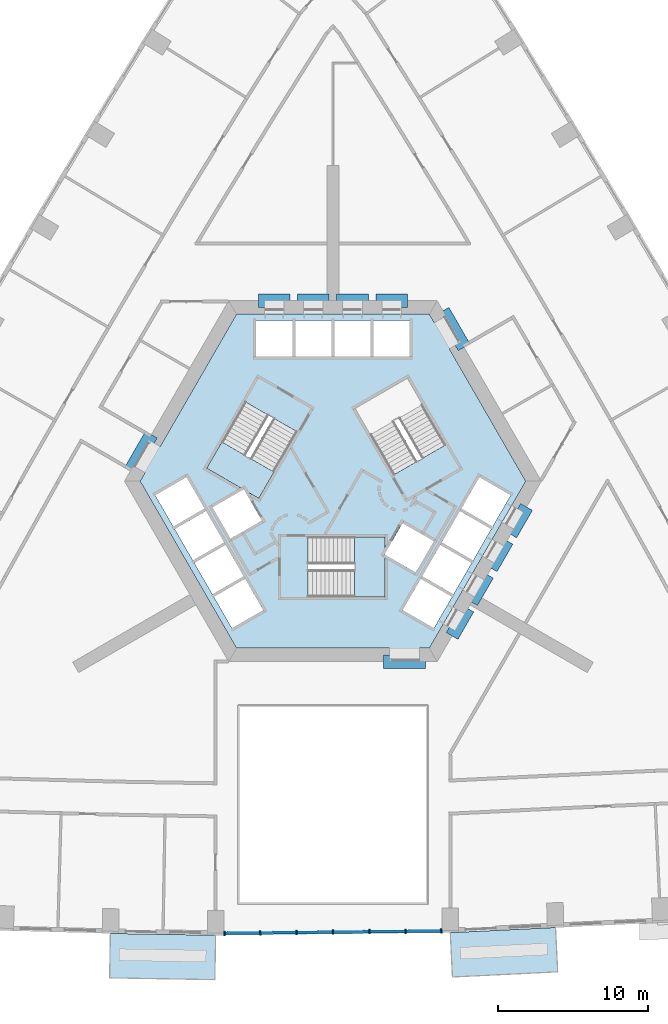
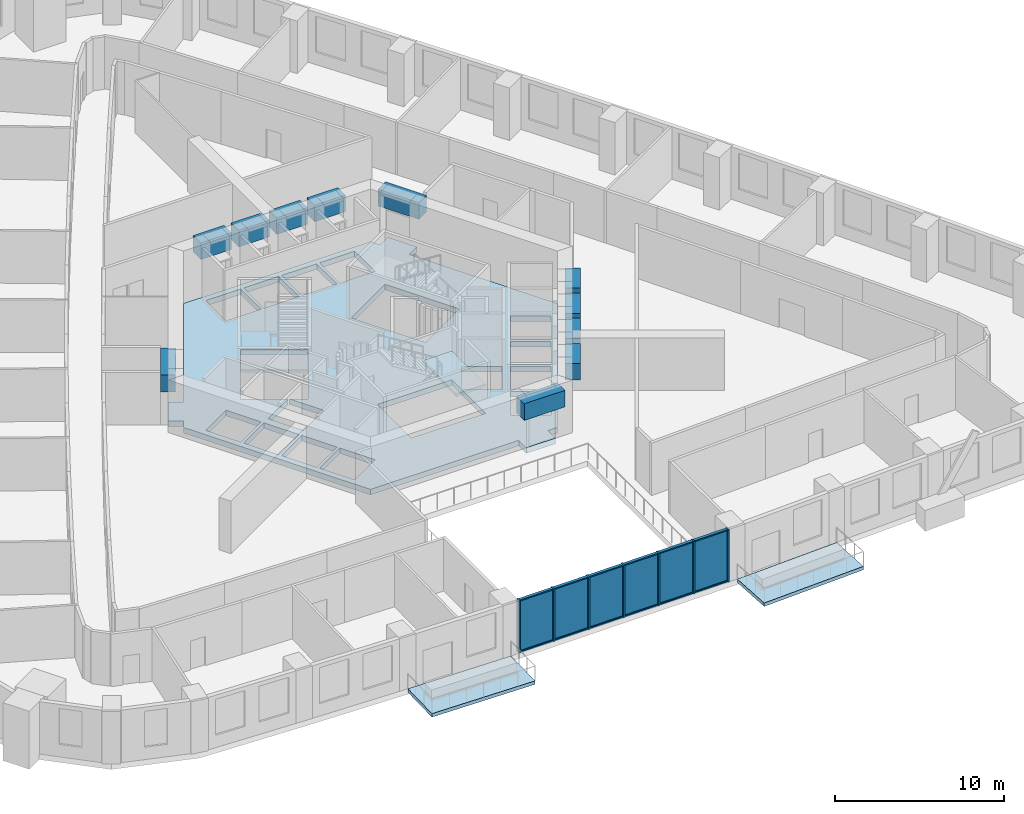
# One storey, part 2 of 14: 19 members, 11 beams, 6 plates, 5 slabs, 3 elements without a shape of their own.
"""IFC4 building model written with IfcOpenShell, lengths in metres."""

from ifc_helpers import new_model, si_unit, direction, frame, origin, origin_2d, place, context, subcontext, project, spatial, polyline, rectangle, outline, extrude, material, layer, layer_set, material_profile, profile_set, type_object, element, aggregate, save


model = new_model("IFC4")

# Units and contexts
model_context = context("Model", 3, precision=1e-05, world=origin(), true_north=direction((0.0, 1.0)))
body_context = subcontext(model_context, "Body", "Model", "MODEL_VIEW")
ifc_project = project(units=[si_unit("LENGTHUNIT", "METRE"), si_unit("AREAUNIT", "SQUARE_METRE"), si_unit("VOLUMEUNIT", "CUBIC_METRE"), si_unit("PLANEANGLEUNIT", "RADIAN"), si_unit("MASSUNIT", "GRAM", prefix="KILO")], contexts=[model_context])

# Site, building, storey
site_placement = place(None, origin())
site = spatial("IfcSite", under=ifc_project, at=site_placement, CompositionType="ELEMENT")
building_placement = place(site_placement, origin())
building = spatial("IfcBuilding", under=site, at=building_placement, Name="Entoto Arch Interchange Tower", CompositionType="ELEMENT")
storey_placement = place(building_placement, frame((0.0, 0.0, 116.0)))
storey = spatial("IfcBuildingStorey", under=building, at=storey_placement, Name="L25", CompositionType="ELEMENT", Elevation=116.0)

# Beams
ifc_material_1 = material(Name="Concrete C60/75", Category="concrete")
ifc_material_profile_1 = material_profile(ifc_material_1, rectangle(XDim=0.89990234375, YDim=1.199951171875, at=origin_2d()))
ifc_profile_set_1 = profile_set([ifc_material_profile_1], Name="Concrete C60/75")
beam_type = type_object("IfcBeamType", Name="Coupling beam RC 900x1200 C60/75", PredefinedType="BEAM", material=ifc_profile_set_1)
beam_1_placement = place(storey_placement, frame((8.717041015625, 11.402099609375, 3.0), z_axis=(-0.500200581029, 0.865909567298, 0.0), x_axis=(-0.865909567298, -0.500200581029, 0.0)))
element("IfcBeam", 1, at=beam_1_placement, inside=storey, type_object=beam_type, Name="Coupling beam NE L25", PredefinedType="BEAM", context=body_context, shape_type="SweptSolid", body=[
    extrude(rectangle(XDim=0.89990234375, YDim=1.199951171875, at=origin_2d()), origin(), (0.0, 0.0, 1.0), 2.799072265625),
])
beam_2_placement = place(storey_placement, frame((4.949951171875, 14.5, 3.0), z_axis=(-1.0, 0.0, 0.0), x_axis=(0.0, -1.0, 0.0)))
element("IfcBeam", 2, at=beam_2_placement, inside=storey, type_object=beam_type, Name="Coupling beam N L25", PredefinedType="BEAM", context=body_context, shape_type="SweptSolid", body=[
    extrude(rectangle(XDim=0.89990234375, YDim=1.199951171875, at=origin_2d()), origin(), (0.0, 0.0, 1.0), 2.099853515625),
])
for number, where, z_axis, x_axis, name in (
    (3, (2.35009765625, 14.5, 3.0), (-1.0, 0.0, 0.0), (0.0, -1.0, 0.0), "Coupling beam N L25"),
    (4, (-0.25, 14.5, 3.0), (-1.0, 0.0, 0.0), (0.0, -1.0, 0.0), "Coupling beam N L25"),
):
    element("IfcBeam", number, at=place(storey_placement, frame(where, z_axis=z_axis, x_axis=x_axis)), inside=storey, type_object=beam_type, Name=name, PredefinedType="BEAM", context=body_context, shape_type="SweptSolid", body=[
        extrude(rectangle(XDim=0.89990234375, YDim=1.199951171875, at=origin_2d()), origin(), (0.0, 0.0, 1.0), 2.10009765625),
    ])
beam_3_placement = place(storey_placement, frame((-2.85009765625, 14.5, 3.0), z_axis=(-1.0, 0.0, 0.0), x_axis=(0.0, -1.0, 0.0)))
element("IfcBeam", 5, at=beam_3_placement, inside=storey, type_object=beam_type, Name="Coupling beam N L25", PredefinedType="BEAM", context=body_context, shape_type="SweptSolid", body=[
    extrude(rectangle(XDim=0.89990234375, YDim=1.199951171875, at=origin_2d()), origin(), (0.0, 0.0, 1.0), 2.099853515625),
])
beam_4_placement = place(storey_placement, frame((-12.06689453125, 5.597900390625, 3.0), z_axis=(-0.500200581029, -0.865909567298, 0.0), x_axis=(0.865909567298, -0.500200581029, 0.0)))
element("IfcBeam", 6, at=beam_4_placement, inside=storey, type_object=beam_type, Name="Coupling beam NW L25", PredefinedType="BEAM", context=body_context, shape_type="SweptSolid", body=[
    extrude(rectangle(XDim=0.89990234375, YDim=1.199951171875, at=origin_2d()), origin(), (0.0, 0.0, 1.0), 2.799072265625),
])
beam_5_placement = place(storey_placement, frame((3.35009765625, -9.5, 3.0), z_axis=(1.0, 0.0, 0.0), x_axis=(0.0, 1.0, 0.0)))
element("IfcBeam", 7, at=beam_5_placement, inside=storey, type_object=beam_type, Name="Coupling beam S L25", PredefinedType="BEAM", context=body_context, shape_type="SweptSolid", body=[
    extrude(rectangle(XDim=0.89990234375, YDim=1.199951171875, at=origin_2d()), origin(), (0.0, 0.0, 1.0), 2.7998046875),
])
for number, where, z_axis, x_axis, name in (
    (8, (7.9169921875, -7.785888671875, 3.0), (0.500178781653, 0.865922159541, 0.0), (-0.865922159541, 0.500178781653, 0.0), "Coupling beam SE L25"),
    (9, (9.217041015625, -5.534912109375, 3.0), (0.500178781653, 0.865922159541, 0.0), (-0.865922159541, 0.500178781653, 0.0), "Coupling beam SE L25"),
):
    element("IfcBeam", number, at=place(storey_placement, frame(where, z_axis=z_axis, x_axis=x_axis)), inside=storey, type_object=beam_type, Name=name, PredefinedType="BEAM", context=body_context, shape_type="SweptSolid", body=[
        extrude(rectangle(XDim=0.89990234375, YDim=1.199951171875, at=origin_2d()), origin(), (0.0, 0.0, 1.0), 2.099365234375),
    ])
beam_6_placement = place(storey_placement, frame((10.51708984375, -3.282958984375, 3.0), z_axis=(0.500091574638, 0.865972526687, 0.0), x_axis=(-0.865972526687, 0.500091574638, 0.0)))
element("IfcBeam", 10, at=beam_6_placement, inside=storey, type_object=beam_type, Name="Coupling beam SE L25", PredefinedType="BEAM", context=body_context, shape_type="SweptSolid", body=[
    extrude(rectangle(XDim=0.89990234375, YDim=1.199951171875, at=origin_2d()), origin(), (0.0, 0.0, 1.0), 2.09912109375),
])
beam_7_placement = place(storey_placement, frame((11.81689453125, -1.031982421875, 3.0), z_axis=(0.500178781653, 0.865922159541, 0.0), x_axis=(-0.865922159541, 0.500178781653, 0.0)))
element("IfcBeam", 11, at=beam_7_placement, inside=storey, type_object=beam_type, Name="Coupling beam SE L25", PredefinedType="BEAM", context=body_context, shape_type="SweptSolid", body=[
    extrude(rectangle(XDim=0.89990234375, YDim=1.199951171875, at=origin_2d()), origin(), (0.0, 0.0, 1.0), 2.099365234375),
])

# Curtain wall, members
ifc_material_2 = material(Name="Aluminium, anodised", Category="aluminium")
curtain_wall_type = type_object("IfcCurtainWallType", Name="CURTAIN WALL ATRIUM", PredefinedType="NOTDEFINED", material=ifc_material_2)
curtain_wall_placement = place(storey_placement, origin())
curtain_wall = element("IfcCurtainWall", 12, at=curtain_wall_placement, inside=storey, type_object=curtain_wall_type, Name="Atrium glazing S-04 L25", PredefinedType="NOTDEFINED")
ifc_material_profile_2 = material_profile(ifc_material_2, rectangle(XDim=0.300048828125, YDim=0.10009765625, at=origin_2d()))
ifc_profile_set_2 = profile_set([ifc_material_profile_2], Name="Aluminium, anodised")
member_type_1 = type_object("IfcMemberType", Name="MULLION ATRIUM 100x300", PredefinedType="MULLION", material=ifc_profile_set_2)
member_1_placement = place(storey_placement, frame((-7.199951171875, -27.550537109375, 0.0), z_axis=(0.0, 0.0, 1.0), x_axis=(-0.011033811041, 0.999939125654, 0.0)))
member_1 = element("IfcMember", 13, at=member_1_placement, type_object=member_type_1, Name="CWA mullion 1", PredefinedType="MULLION", context=body_context, shape_type="SweptSolid", body=[
    extrude(rectangle(XDim=0.300048828125, YDim=0.10009765625, at=origin_2d()), origin(), (0.0, 0.0, 1.0), 3.800048828125),
])
member_2_placement = place(storey_placement, frame((-4.833251953125, -27.5244140625, 0.0), z_axis=(0.0, 0.0, 1.0), x_axis=(-0.011033811041, 0.999939125654, 0.0)))
member_2 = element("IfcMember", 14, at=member_2_placement, type_object=member_type_1, Name="CWA mullion 2", PredefinedType="MULLION", context=body_context, shape_type="SweptSolid", body=[
    extrude(rectangle(XDim=0.300048828125, YDim=0.10009765625, at=origin_2d()), origin(), (0.0, 0.0, 1.0), 3.800048828125),
])
member_3_placement = place(storey_placement, frame((-2.416748046875, -27.49755859375, 0.0), z_axis=(0.0, 0.0, 1.0), x_axis=(-0.011033811041, 0.999939125654, 0.0)))
member_3 = element("IfcMember", 15, at=member_3_placement, type_object=member_type_1, Name="CWA mullion 3", PredefinedType="MULLION", context=body_context, shape_type="SweptSolid", body=[
    extrude(rectangle(XDim=0.300048828125, YDim=0.10009765625, at=origin_2d()), origin(), (0.0, 0.0, 1.0), 3.800048828125),
])
member_4_placement = place(storey_placement, frame((0.0, -27.470947265625, 0.0), z_axis=(0.0, 0.0, 1.0), x_axis=(-0.011033811041, 0.999939125654, 0.0)))
member_4 = element("IfcMember", 16, at=member_4_placement, type_object=member_type_1, Name="CWA mullion 4", PredefinedType="MULLION", context=body_context, shape_type="SweptSolid", body=[
    extrude(rectangle(XDim=0.300048828125, YDim=0.10009765625, at=origin_2d()), origin(), (0.0, 0.0, 1.0), 3.800048828125),
])
member_5_placement = place(storey_placement, frame((2.416748046875, -27.4443359375, 0.0), z_axis=(0.0, 0.0, 1.0), x_axis=(-0.011033811041, 0.999939125654, 0.0)))
member_5 = element("IfcMember", 17, at=member_5_placement, type_object=member_type_1, Name="CWA mullion 5", PredefinedType="MULLION", context=body_context, shape_type="SweptSolid", body=[
    extrude(rectangle(XDim=0.300048828125, YDim=0.10009765625, at=origin_2d()), origin(), (0.0, 0.0, 1.0), 3.800048828125),
])
member_6_placement = place(storey_placement, frame((4.833251953125, -27.417724609375, 0.0), z_axis=(0.0, 0.0, 1.0), x_axis=(-0.011033811041, 0.999939125654, 0.0)))
member_6 = element("IfcMember", 18, at=member_6_placement, type_object=member_type_1, Name="CWA mullion 6", PredefinedType="MULLION", context=body_context, shape_type="SweptSolid", body=[
    extrude(rectangle(XDim=0.300048828125, YDim=0.10009765625, at=origin_2d()), origin(), (0.0, 0.0, 1.0), 3.800048828125),
])
member_7_placement = place(storey_placement, frame((7.199951171875, -27.3916015625, 0.0), z_axis=(0.0, 0.0, 1.0), x_axis=(-0.011033811041, 0.999939125654, 0.0)))
member_7 = element("IfcMember", 19, at=member_7_placement, type_object=member_type_1, Name="CWA mullion 7", PredefinedType="MULLION", context=body_context, shape_type="SweptSolid", body=[
    extrude(rectangle(XDim=0.300048828125, YDim=0.10009765625, at=origin_2d()), origin(), (0.0, 0.0, 1.0), 3.800048828125),
])
ifc_material_profile_3 = material_profile(ifc_material_2, rectangle(XDim=0.199951171875, YDim=0.080078125, at=origin_2d()))
ifc_profile_set_3 = profile_set([ifc_material_profile_3], Name="Aluminium, anodised")
member_type_2 = type_object("IfcMemberType", Name="TRANSOM ATRIUM 80x200", PredefinedType="USERDEFINED", material=ifc_profile_set_3)
member_8_placement = place(storey_placement, frame((-7.14990234375, -27.5498046875, 0.0400390625), z_axis=(0.999939652293, 0.010985980669, 0.0), x_axis=(-0.010985980669, 0.999939652293, 0.0)))
member_8 = element("IfcMember", 20, at=member_8_placement, type_object=member_type_2, Name="CWA transom 1.1", ObjectType="TRANSOM", PredefinedType="USERDEFINED", context=body_context, shape_type="SweptSolid", body=[
    extrude(rectangle(XDim=0.199951171875, YDim=0.080078125, at=origin_2d()), origin(), (0.0, 0.0, 1.0), 2.266845703125),
])
member_9_placement = place(storey_placement, frame((-7.14990234375, -27.5498046875, 3.760009765625), z_axis=(0.999939652293, 0.010985980669, 0.0), x_axis=(-0.010985980669, 0.999939652293, 0.0)))
member_9 = element("IfcMember", 21, at=member_9_placement, type_object=member_type_2, Name="CWA transom 1.2", ObjectType="TRANSOM", PredefinedType="USERDEFINED", context=body_context, shape_type="SweptSolid", body=[
    extrude(rectangle(XDim=0.199951171875, YDim=0.080078125, at=origin_2d()), origin(), (0.0, 0.0, 1.0), 2.266845703125),
])
member_10_placement = place(storey_placement, frame((-4.783447265625, -27.523681640625, 0.0400390625), z_axis=(0.999939956619, 0.0109582461, 0.0), x_axis=(-0.0109582461, 0.999939956619, 0.0)))
member_10 = element("IfcMember", 22, at=member_10_placement, type_object=member_type_2, Name="CWA transom 2.1", ObjectType="TRANSOM", PredefinedType="USERDEFINED", context=body_context, shape_type="SweptSolid", body=[
    extrude(rectangle(XDim=0.199951171875, YDim=0.080078125, at=origin_2d()), origin(), (0.0, 0.0, 1.0), 2.317138671875),
])
member_11_placement = place(storey_placement, frame((-4.783447265625, -27.523681640625, 3.760009765625), z_axis=(0.999939956619, 0.0109582461, 0.0), x_axis=(-0.0109582461, 0.999939956619, 0.0)))
member_11 = element("IfcMember", 23, at=member_11_placement, type_object=member_type_2, Name="CWA transom 2.2", ObjectType="TRANSOM", PredefinedType="USERDEFINED", context=body_context, shape_type="SweptSolid", body=[
    extrude(rectangle(XDim=0.199951171875, YDim=0.080078125, at=origin_2d()), origin(), (0.0, 0.0, 1.0), 2.317138671875),
])
member_12_placement = place(storey_placement, frame((-2.36669921875, -27.4970703125, 0.0400390625), z_axis=(0.999938783594, 0.011064766812, 0.0), x_axis=(-0.011064766812, 0.999938783594, 0.0)))
member_12 = element("IfcMember", 24, at=member_12_placement, type_object=member_type_2, Name="CWA transom 3.1", ObjectType="TRANSOM", PredefinedType="USERDEFINED", context=body_context, shape_type="SweptSolid", body=[
    extrude(rectangle(XDim=0.199951171875, YDim=0.080078125, at=origin_2d()), origin(), (0.0, 0.0, 1.0), 2.31689453125),
])
member_13_placement = place(storey_placement, frame((-2.36669921875, -27.4970703125, 3.760009765625), z_axis=(0.999938783594, 0.011064766812, 0.0), x_axis=(-0.011064766812, 0.999938783594, 0.0)))
member_13 = element("IfcMember", 25, at=member_13_placement, type_object=member_type_2, Name="CWA transom 3.2", ObjectType="TRANSOM", PredefinedType="USERDEFINED", context=body_context, shape_type="SweptSolid", body=[
    extrude(rectangle(XDim=0.199951171875, YDim=0.080078125, at=origin_2d()), origin(), (0.0, 0.0, 1.0), 2.31689453125),
])
member_14_placement = place(storey_placement, frame((0.050048828125, -27.470458984375, 0.0400390625), z_axis=(0.999938783594, 0.011064766812, 0.0), x_axis=(-0.011064766812, 0.999938783594, 0.0)))
member_14 = element("IfcMember", 26, at=member_14_placement, type_object=member_type_2, Name="CWA transom 4.1", ObjectType="TRANSOM", PredefinedType="USERDEFINED", context=body_context, shape_type="SweptSolid", body=[
    extrude(rectangle(XDim=0.199951171875, YDim=0.080078125, at=origin_2d()), origin(), (0.0, 0.0, 1.0), 2.31689453125),
])
member_15_placement = place(storey_placement, frame((0.050048828125, -27.470458984375, 3.760009765625), z_axis=(0.999938783594, 0.011064766812, 0.0), x_axis=(-0.011064766812, 0.999938783594, 0.0)))
member_15 = element("IfcMember", 27, at=member_15_placement, type_object=member_type_2, Name="CWA transom 4.2", ObjectType="TRANSOM", PredefinedType="USERDEFINED", context=body_context, shape_type="SweptSolid", body=[
    extrude(rectangle(XDim=0.199951171875, YDim=0.080078125, at=origin_2d()), origin(), (0.0, 0.0, 1.0), 2.31689453125),
])
member_16_placement = place(storey_placement, frame((2.466552734375, -27.44384765625, 0.0400390625), z_axis=(0.999938796493, 0.011063601015, 0.0), x_axis=(-0.011063601015, 0.999938796493, 0.0)))
member_16 = element("IfcMember", 28, at=member_16_placement, type_object=member_type_2, Name="CWA transom 5.1", ObjectType="TRANSOM", PredefinedType="USERDEFINED", context=body_context, shape_type="SweptSolid", body=[
    extrude(rectangle(XDim=0.199951171875, YDim=0.080078125, at=origin_2d()), origin(), (0.0, 0.0, 1.0), 2.317138671875),
])
member_17_placement = place(storey_placement, frame((2.466552734375, -27.44384765625, 3.760009765625), z_axis=(0.999938796493, 0.011063601015, 0.0), x_axis=(-0.011063601015, 0.999938796493, 0.0)))
member_17 = element("IfcMember", 29, at=member_17_placement, type_object=member_type_2, Name="CWA transom 5.2", ObjectType="TRANSOM", PredefinedType="USERDEFINED", context=body_context, shape_type="SweptSolid", body=[
    extrude(rectangle(XDim=0.199951171875, YDim=0.080078125, at=origin_2d()), origin(), (0.0, 0.0, 1.0), 2.317138671875),
])
member_18_placement = place(storey_placement, frame((4.88330078125, -27.417236328125, 0.0400390625), z_axis=(0.999938463314, 0.011093673171, 0.0), x_axis=(-0.011093673171, 0.999938463314, 0.0)))
member_18 = element("IfcMember", 30, at=member_18_placement, type_object=member_type_2, Name="CWA transom 6.1", ObjectType="TRANSOM", PredefinedType="USERDEFINED", context=body_context, shape_type="SweptSolid", body=[
    extrude(rectangle(XDim=0.199951171875, YDim=0.080078125, at=origin_2d()), origin(), (0.0, 0.0, 1.0), 2.266845703125),
])
member_19_placement = place(storey_placement, frame((4.88330078125, -27.417236328125, 3.760009765625), z_axis=(0.999938463314, 0.011093673171, 0.0), x_axis=(-0.011093673171, 0.999938463314, 0.0)))
member_19 = element("IfcMember", 31, at=member_19_placement, type_object=member_type_2, Name="CWA transom 6.2", ObjectType="TRANSOM", PredefinedType="USERDEFINED", context=body_context, shape_type="SweptSolid", body=[
    extrude(rectangle(XDim=0.199951171875, YDim=0.080078125, at=origin_2d()), origin(), (0.0, 0.0, 1.0), 2.266845703125),
])

# Slabs
ifc_material_3 = material(Name="Board-marked precast concrete C50/60", Category="concrete")
ifc_layer_1 = layer(ifc_material_3, 0.25)
ifc_layer_set_1 = layer_set([ifc_layer_1], Name="Board-marked precast concrete C50/60")
slab_type_1 = type_object("IfcSlabType", Name="BALCONY DECK PRECAST 250", PredefinedType="FLOOR", material=ifc_layer_set_1)
slab_1_placement = place(storey_placement, frame((0.0, 0.0, -0.25)))
element("IfcSlab", 32, at=slab_1_placement, inside=storey, type_object=slab_type_1, Name="Planted balcony S-03 L25", PredefinedType="FLOOR", context=body_context, shape_type="SweptSolid", body=[
    extrude(outline(polyline([(-14.794921875, -27.56201171875), (-7.800048828125, -27.681884765625), (-7.85107421875, -30.632080078125), (-14.845947265625, -30.511962890625), (-14.794921875, -27.56201171875)])), origin(), (0.0, 0.0, 1.0), 0.25),
])
slab_2_placement = place(storey_placement, frame((0.0, 0.0, -0.25)))
element("IfcSlab", 33, at=slab_2_placement, inside=storey, type_object=slab_type_1, Name="Planted balcony S-05 L25", PredefinedType="FLOOR", context=body_context, shape_type="SweptSolid", body=[
    extrude(outline(polyline([(7.800048828125, -27.510009765625), (14.794921875, -27.1669921875), (14.93896484375, -30.113037109375), (7.944091796875, -30.4560546875), (7.800048828125, -27.510009765625)])), origin(), (0.0, 0.0, 1.0), 0.25),
])
ifc_material_4 = material(Name="Concrete C40/50", Category="concrete")
ifc_layer_2 = layer(ifc_material_4, 0.39990234375)
ifc_layer_set_2 = layer_set([ifc_layer_2], Name="Concrete C40/50")
slab_type_2 = type_object("IfcSlabType", Name="Core floor slab 400 C40/50", PredefinedType="FLOOR", material=ifc_layer_set_2)
slab_3_placement = place(storey_placement, frame((0.0, 0.0, -0.39990234375)))
element("IfcSlab", 34, at=slab_3_placement, inside=storey, type_object=slab_type_2, Name="Core floor slab L25", PredefinedType="FLOOR", context=body_context, shape_type="SweptSolid", body=[
    extrude(outline(polyline([(5.75, -9.5), (3.75, -9.5), (3.75, -8.60009765625), (-6.408935546875, -8.60009765625), (-12.81689453125, 2.5), (-12.488037109375, 3.070068359375), (-13.26708984375, 3.52001953125), (-12.26708984375, 5.251953125), (-11.488037109375, 4.802001953125), (-6.408935546875, 13.60009765625), (6.408935546875, 13.60009765625), (6.738037109375, 13.030029296875), (7.51708984375, 13.47998046875), (8.51708984375, 11.748046875), (7.738037109375, 11.298095703125), (12.81689453125, 2.5), (6.408935546875, -8.60009765625), (5.75, -8.60009765625), (5.75, -9.5)]), holes=[polyline([(-4.637939453125, -6.06689453125), (-5.837890625, -3.988037109375), (-7.916015625, -5.18798828125), (-6.716064453125, -7.26708984375), (-4.637939453125, -6.06689453125)]), polyline([(-5.93798828125, -3.81494140625), (-7.137939453125, -1.737060546875), (-9.216064453125, -2.93701171875), (-8.01611328125, -5.014892578125), (-5.93798828125, -3.81494140625)]), polyline([(5.5048828125, -3.56494140625), (6.705078125, -1.487060546875), (4.626953125, -0.287109375), (3.449951171875, -2.324951171875), (3.449951171875, -1.199951171875), (-1.64990234375, -1.199951171875), (-1.64990234375, -5.199951171875), (3.449951171875, -5.199951171875), (3.449951171875, -2.3779296875), (5.5048828125, -3.56494140625)]), polyline([(-7.238037109375, -1.56298828125), (-8.43798828125, 0.514892578125), (-10.51611328125, -0.68505859375), (-9.31591796875, -2.762939453125), (-7.238037109375, -1.56298828125)]), polyline([(-4.72705078125, -0.113037109375), (-5.904052734375, 1.925048828125), (-4.928955078125, 1.362060546875), (-2.37890625, 5.779052734375), (-5.843017578125, 7.779052734375), (-8.39306640625, 3.362060546875), (-5.949951171875, 1.951904296875), (-8.0048828125, 0.764892578125), (-6.804931640625, -1.31298828125), (-4.72705078125, -0.113037109375)]), polyline([(-8.5380859375, 0.68798828125), (-9.738037109375, 2.76708984375), (-11.81591796875, 1.56689453125), (-10.615966796875, -0.511962890625), (-8.5380859375, 0.68798828125)]), polyline([(-5.10009765625, 10.800048828125), (-2.699951171875, 10.800048828125), (-2.699951171875, 13.199951171875), (-5.10009765625, 13.199951171875), (-5.10009765625, 10.800048828125)]), polyline([(-2.5, 10.800048828125), (-0.10009765625, 10.800048828125), (-0.10009765625, 13.199951171875), (-2.5, 13.199951171875), (-2.5, 10.800048828125)]), polyline([(5.837890625, -3.988037109375), (4.637939453125, -6.06689453125), (6.716064453125, -7.26708984375), (7.916015625, -5.18798828125), (5.837890625, -3.988037109375)]), polyline([(7.137939453125, -1.737060546875), (5.93798828125, -3.81494140625), (8.01611328125, -5.014892578125), (9.216064453125, -2.93701171875), (7.137939453125, -1.737060546875)]), polyline([(8.43798828125, 0.514892578125), (7.238037109375, -1.56298828125), (9.31591796875, -2.762939453125), (10.51611328125, -0.68505859375), (8.43798828125, 0.514892578125)]), polyline([(9.738037109375, 2.76708984375), (8.5380859375, 0.68798828125), (10.615966796875, -0.511962890625), (11.81591796875, 1.56689453125), (9.738037109375, 2.76708984375)]), polyline([(4.029052734375, 2.9208984375), (7.492919921875, 4.9208984375), (4.943115234375, 9.337890625), (1.47900390625, 7.337890625), (4.029052734375, 2.9208984375)]), polyline([(0.10009765625, 13.199951171875), (0.10009765625, 10.800048828125), (2.5, 10.800048828125), (2.5, 13.199951171875), (0.10009765625, 13.199951171875)]), polyline([(2.699951171875, 13.199951171875), (2.699951171875, 10.800048828125), (5.10009765625, 10.800048828125), (5.10009765625, 13.199951171875), (2.699951171875, 13.199951171875)])]), origin(), (0.0, 0.0, 1.0), 0.39990234375),
])

# Stair, slab
stair_type = type_object("IfcStairType", Name="EXIT STAIR RC 1800", PredefinedType="HALF_TURN_STAIR", material=ifc_material_4)
stair_1_placement = place(storey_placement, origin())
stair_1 = element("IfcStair", 35, at=stair_1_placement, inside=storey, type_object=stair_type, Name="L25 Exit stair S", PredefinedType="HALF_TURN_STAIR")
ifc_layer_3 = layer(ifc_material_4, 0.199951171875)
ifc_layer_set_3 = layer_set([ifc_layer_3], Name="Concrete C40/50")
slab_type_3 = type_object("IfcSlabType", Name="EXIT STAIR LANDING RC 200", PredefinedType="LANDING", material=ifc_layer_set_3)
slab_4_placement = place(storey_placement, frame((0.0, 0.0, 1.89990234375)))
slab_4 = element("IfcSlab", 36, at=slab_4_placement, type_object=slab_type_3, Name="ST-S landing 1", PredefinedType="LANDING", context=body_context, shape_type="SweptSolid", body=[
    extrude(outline(polyline([(1.429931640625, -5.199951171875), (3.449951171875, -5.199951171875), (3.449951171875, -1.199951171875), (1.429931640625, -1.199951171875), (1.429931640625, -5.199951171875)])), origin(), (0.0, 0.0, 1.0), 0.2001953125),
])
aggregate(stair_1, [slab_4])

stair_2_placement = place(storey_placement, origin())
stair_2 = element("IfcStair", 37, at=stair_2_placement, inside=storey, type_object=stair_type, Name="L25 Exit stair NW", PredefinedType="HALF_TURN_STAIR")
slab_5_placement = place(storey_placement, frame((0.0, 0.0, 1.89990234375)))
slab_5 = element("IfcSlab", 38, at=slab_5_placement, type_object=slab_type_3, Name="ST-NW landing 1", PredefinedType="LANDING", context=body_context, shape_type="SweptSolid", body=[
    extrude(outline(polyline([(-7.38330078125, 5.111572265625), (-8.393310546875, 3.3623046875), (-4.92919921875, 1.3623046875), (-3.919189453125, 3.111572265625), (-7.38330078125, 5.111572265625)])), origin(), (0.0, 0.0, 1.0), 0.2001953125),
])
aggregate(stair_2, [slab_5])

# Plate
ifc_material_5 = material(Name="Clear glass, low-e double glazed", Category="glass")
ifc_layer_4 = layer(ifc_material_5, 0.031982421875)
ifc_layer_set_4 = layer_set([ifc_layer_4], Name="Clear glass, low-e double glazed")
plate_type = type_object("IfcPlateType", Name="GLAZING PANEL ATRIUM 32", PredefinedType="CURTAIN_PANEL", material=ifc_layer_set_4)
plate_1_placement = place(storey_placement, frame((-6.0166015625, -27.537353515625, 0.080078125), z_axis=(0.0, 0.0, 1.0), x_axis=(0.999939125654, 0.011033811041, 0.0)))
plate_1 = element("IfcPlate", 39, at=plate_1_placement, type_object=plate_type, Name="CWA panel 1.1", PredefinedType="CURTAIN_PANEL", context=body_context, shape_type="SweptSolid", body=[
    extrude(rectangle(XDim=2.266845703125, YDim=0.031982421875, at=origin_2d()), origin(), (0.0, 0.0, 1.0), 3.639892578125),
])

plate_2_placement = place(storey_placement, frame((-3.625, -27.510986328125, 0.080078125), z_axis=(0.0, 0.0, 1.0), x_axis=(0.999939125654, 0.011033811041, 0.0)))
plate_2 = element("IfcPlate", 40, at=plate_2_placement, type_object=plate_type, Name="CWA panel 2.1", PredefinedType="CURTAIN_PANEL", context=body_context, shape_type="SweptSolid", body=[
    extrude(rectangle(XDim=2.31689453125, YDim=0.031982421875, at=origin_2d()), origin(), (0.0, 0.0, 1.0), 3.639892578125),
])

plate_3_placement = place(storey_placement, frame((-1.208251953125, -27.484375, 0.080078125), z_axis=(0.0, 0.0, 1.0), x_axis=(0.999939125654, 0.011033811041, 0.0)))
plate_3 = element("IfcPlate", 41, at=plate_3_placement, type_object=plate_type, Name="CWA panel 3.1", PredefinedType="CURTAIN_PANEL", context=body_context, shape_type="SweptSolid", body=[
    extrude(rectangle(XDim=2.31689453125, YDim=0.031982421875, at=origin_2d()), origin(), (0.0, 0.0, 1.0), 3.639892578125),
])

plate_4_placement = place(storey_placement, frame((1.208251953125, -27.457763671875, 0.080078125), z_axis=(0.0, 0.0, 1.0), x_axis=(0.999939125654, 0.011033811041, 0.0)))
plate_4 = element("IfcPlate", 42, at=plate_4_placement, type_object=plate_type, Name="CWA panel 4.1", PredefinedType="CURTAIN_PANEL", context=body_context, shape_type="SweptSolid", body=[
    extrude(rectangle(XDim=2.31689453125, YDim=0.031982421875, at=origin_2d()), origin(), (0.0, 0.0, 1.0), 3.639892578125),
])

plate_5_placement = place(storey_placement, frame((3.625, -27.430908203125, 0.080078125), z_axis=(0.0, 0.0, 1.0), x_axis=(0.999939125654, 0.011033811041, 0.0)))
plate_5 = element("IfcPlate", 43, at=plate_5_placement, type_object=plate_type, Name="CWA panel 5.1", PredefinedType="CURTAIN_PANEL", context=body_context, shape_type="SweptSolid", body=[
    extrude(rectangle(XDim=2.31689453125, YDim=0.031982421875, at=origin_2d()), origin(), (0.0, 0.0, 1.0), 3.639892578125),
])

plate_6_placement = place(storey_placement, frame((6.0166015625, -27.404541015625, 0.080078125), z_axis=(0.0, 0.0, 1.0), x_axis=(0.999939125654, 0.011033811041, 0.0)))
plate_6 = element("IfcPlate", 44, at=plate_6_placement, type_object=plate_type, Name="CWA panel 6.1", PredefinedType="CURTAIN_PANEL", context=body_context, shape_type="SweptSolid", body=[
    extrude(rectangle(XDim=2.266845703125, YDim=0.031982421875, at=origin_2d()), origin(), (0.0, 0.0, 1.0), 3.639892578125),
])

aggregate(curtain_wall, [member_1, member_2, member_3, member_4, member_5, member_6, member_7, member_8, member_9, plate_1, member_10, member_11, plate_2, member_12, member_13, plate_3, member_14, member_15, plate_4, member_16, member_17, plate_5, member_18, member_19, plate_6])

save(model, "model.ifc")
